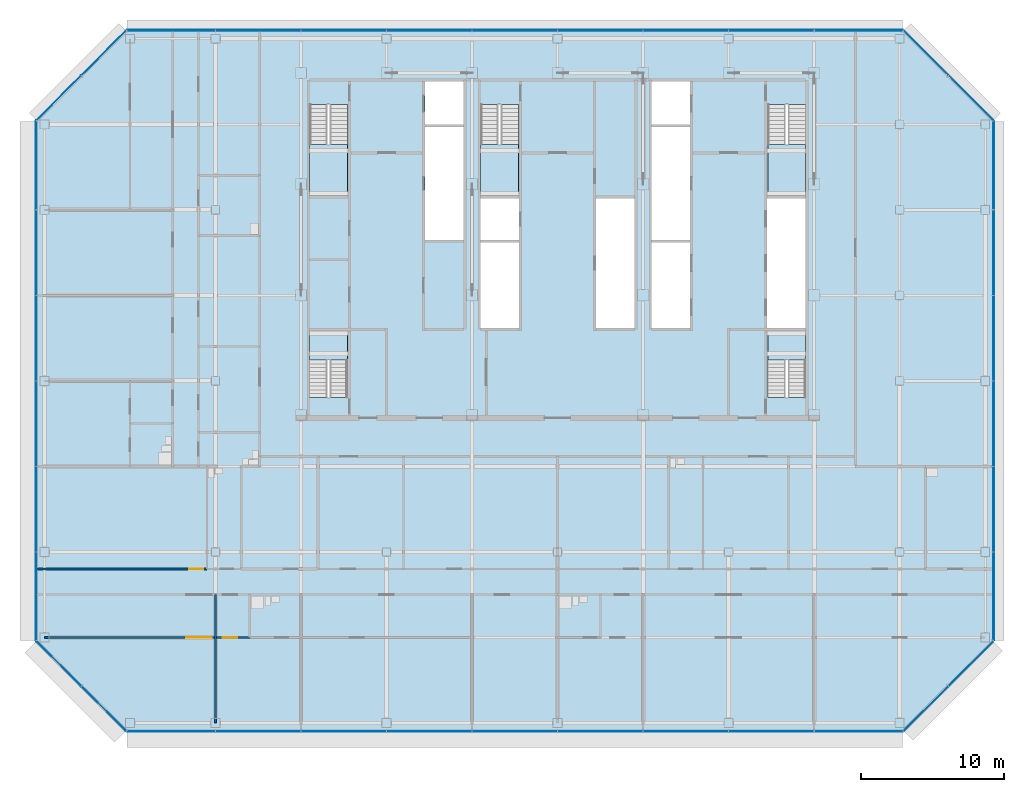
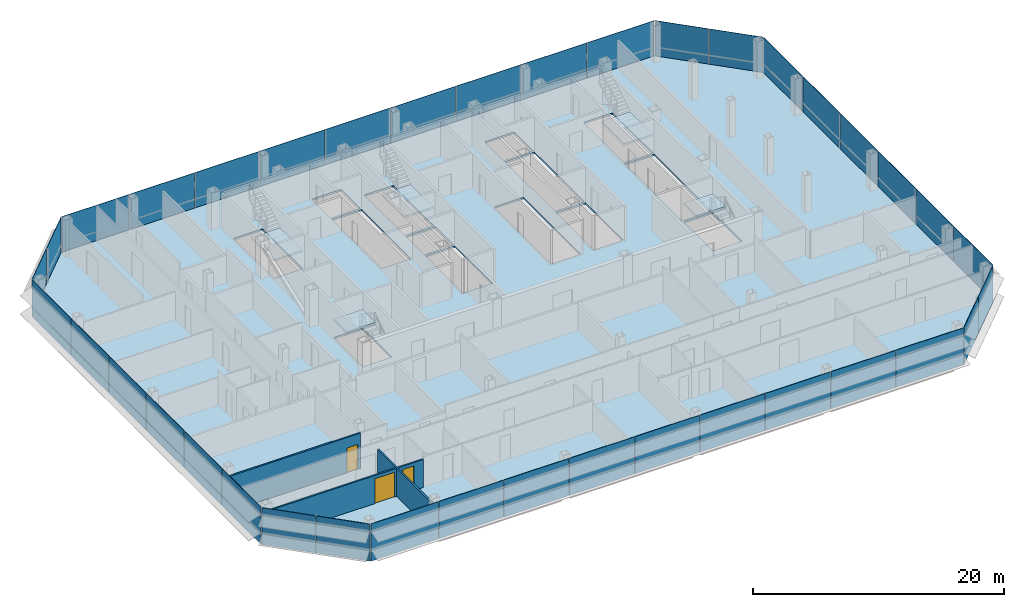
# One storey, part 19 of 26: 38 plates, 6 slabs, 3 doors, 3 walls, 3 openings, 13 elements without a shape of their own.
"""IFC4 building model written with IfcOpenShell, lengths in metres."""

from ifc_helpers import new_model, si_unit, direction, frame, frame_2d, origin, origin_2d, place, context, subcontext, project, spatial, polyline, rectangle, outline, extrude, material, layer, layer_set, type_object, element, fill, aggregate, save


model = new_model("IFC4")

# Units and contexts
model_context = context("Model", 3, precision=1e-05, world=origin(), true_north=direction((0.0, 1.0)))
body_context = subcontext(model_context, "Body", "Model", "MODEL_VIEW")
ifc_project = project(units=[si_unit("LENGTHUNIT", "METRE"), si_unit("AREAUNIT", "SQUARE_METRE"), si_unit("VOLUMEUNIT", "CUBIC_METRE"), si_unit("PLANEANGLEUNIT", "RADIAN"), si_unit("MASSUNIT", "GRAM", prefix="KILO")], contexts=[model_context])

# Site, building, storey
site_placement = place(None, origin())
site = spatial("IfcSite", under=ifc_project, at=site_placement, CompositionType="ELEMENT")
building_placement = place(site_placement, origin())
building = spatial("IfcBuilding", under=site, at=building_placement, Name="Sorahane Residences", CompositionType="ELEMENT")
storey_placement = place(building_placement, frame((0.0, 0.0, 215.39990234375)))
storey = spatial("IfcBuildingStorey", under=building, at=storey_placement, Name="L50", CompositionType="ELEMENT", Elevation=215.39990234375)

# Slab
ifc_material_1 = material(Name="Concrete C35", Category="concrete")
ifc_layer_1 = layer(ifc_material_1, 0.179931640625)
ifc_layer_set_1 = layer_set([ifc_layer_1], Name="Composite floor slab 180 mm Concrete C35")
slab_type_1 = type_object("IfcSlabType", Name="Composite floor slab 180 mm Concrete C35", PredefinedType="FLOOR", material=ifc_layer_set_1)
slab_1_placement = place(storey_placement, frame((0.0, 0.0, -0.179931640625)))
element("IfcSlab", 1, at=slab_1_placement, inside=storey, type_object=slab_type_1, Name="Slab L50", PredefinedType="FLOOR", context=body_context, shape_type="SweptSolid", body=[
    extrude(outline(polyline([(-6.24853515625, -0.60009765625), (-12.60009765625, 5.75146484375), (-12.60009765625, 42.24853515625), (-6.24853515625, 48.60009765625), (48.24853515625, 48.60009765625), (54.60009765625, 42.24853515625), (54.60009765625, 5.75146484375), (48.24853515625, -0.60009765625), (-6.24853515625, -0.60009765625)]), holes=[polyline([(18.60009765625, 27.699951171875), (21.300048828125, 27.699951171875), (21.300048828125, 33.699951171875), (18.60009765625, 33.699951171875), (18.60009765625, 27.699951171875)]), polyline([(38.699951171875, 27.699951171875), (41.39990234375, 27.699951171875), (41.39990234375, 36.800048828125), (38.699951171875, 36.800048828125), (38.699951171875, 27.699951171875)]), polyline([(30.60009765625, 27.699951171875), (33.300048828125, 27.699951171875), (33.300048828125, 33.699951171875), (30.60009765625, 33.699951171875), (30.60009765625, 27.699951171875)]), polyline([(30.60009765625, 42.0), (33.300048828125, 42.0), (33.300048828125, 45.0), (30.60009765625, 45.0), (30.60009765625, 42.0)]), polyline([(14.699951171875, 42.0), (17.39990234375, 42.0), (17.39990234375, 45.0), (14.699951171875, 45.0), (14.699951171875, 42.0)]), polyline([(6.60009765625, 43.39990234375), (6.60009765625, 37.0), (9.25, 37.0), (9.25, 43.39990234375), (6.60009765625, 43.39990234375)]), polyline([(38.75, 43.39990234375), (38.75, 37.0), (41.39990234375, 37.0), (41.39990234375, 43.39990234375), (38.75, 43.39990234375)]), polyline([(18.60009765625, 43.39990234375), (18.60009765625, 37.0), (21.25, 37.0), (21.25, 43.39990234375), (18.60009765625, 43.39990234375)]), polyline([(9.25, 22.85009765625), (9.25, 27.5), (6.60009765625, 27.5), (6.60009765625, 22.85009765625), (9.25, 22.85009765625)]), polyline([(41.39990234375, 22.85009765625), (41.39990234375, 27.5), (38.75, 27.5), (38.75, 22.85009765625), (41.39990234375, 22.85009765625)]), polyline([(14.699951171875, 33.89990234375), (17.39990234375, 33.89990234375), (17.39990234375, 41.800048828125), (14.699951171875, 41.800048828125), (14.699951171875, 33.89990234375)]), polyline([(30.60009765625, 33.89990234375), (33.300048828125, 33.89990234375), (33.300048828125, 41.800048828125), (30.60009765625, 41.800048828125), (30.60009765625, 33.89990234375)]), polyline([(18.60009765625, 33.89990234375), (21.300048828125, 33.89990234375), (21.300048828125, 36.800048828125), (18.60009765625, 36.800048828125), (18.60009765625, 33.89990234375)]), polyline([(26.699951171875, 27.699951171875), (29.39990234375, 27.699951171875), (29.39990234375, 36.800048828125), (26.699951171875, 36.800048828125), (26.699951171875, 27.699951171875)])]), origin(), (0.0, 0.0, 1.0), 0.179931640625),
])

# Curtain wall, plates
ifc_material_2 = material(Name="Dark low-e glass and black anodised aluminium", Category="aluminium")
curtain_wall_type_1 = type_object("IfcCurtainWallType", Name="Curtain wall CW-1 Typical unitised wall", PredefinedType="NOTDEFINED", material=ifc_material_2)
curtain_wall_1_placement = place(storey_placement, origin())
curtain_wall_1 = element("IfcCurtainWall", 2, at=curtain_wall_1_placement, inside=storey, type_object=curtain_wall_type_1, Name="CW-1 curtain wall L50 S1", PredefinedType="NOTDEFINED")
ifc_material_3 = material(Name="Dark low-e glass with black ceramic frit", Category="glass")
ifc_layer_2 = layer(ifc_material_3, 0.0400390625)
ifc_layer_set_2 = layer_set([ifc_layer_2], Name="Curtain wall glass panel dark low-e with black frit spandrel band")
plate_type = type_object("IfcPlateType", Name="Curtain wall glass panel dark low-e with black frit spandrel band", PredefinedType="CURTAIN_PANEL", material=ifc_layer_set_2)
plate_1_placement = place(storey_placement, frame((-3.11181640625, -0.60009765625, -0.179931640625), z_axis=(0.0, 0.0, 1.0), x_axis=(1.0, 0.0, 0.0)))
plate_1 = element("IfcPlate", 3, at=plate_1_placement, type_object=plate_type, Name="CW-1 glass panel L50 S1.1", PredefinedType="CURTAIN_PANEL", context=body_context, shape_type="SweptSolid", body=[
    extrude(rectangle(XDim=6.173583984375, YDim=0.0400390625, at=origin_2d()), origin(), (0.0, 0.0, 1.0), 3.60009765625),
])
plate_2_placement = place(storey_placement, frame((3.0, -0.60009765625, -0.179931640625), z_axis=(0.0, 0.0, 1.0), x_axis=(1.0, 0.0, 0.0)))
plate_2 = element("IfcPlate", 4, at=plate_2_placement, type_object=plate_type, Name="CW-1 glass panel L50 S1.2", PredefinedType="CURTAIN_PANEL", context=body_context, shape_type="SweptSolid", body=[
    extrude(rectangle(XDim=5.949951171875, YDim=0.0400390625, at=origin_2d()), origin(), (0.0, 0.0, 1.0), 3.60009765625),
])
plate_3_placement = place(storey_placement, frame((9.0, -0.60009765625, -0.179931640625), z_axis=(0.0, 0.0, 1.0), x_axis=(1.0, 0.0, 0.0)))
plate_3 = element("IfcPlate", 5, at=plate_3_placement, type_object=plate_type, Name="CW-1 glass panel L50 S1.3", PredefinedType="CURTAIN_PANEL", context=body_context, shape_type="SweptSolid", body=[
    extrude(rectangle(XDim=5.949951171875, YDim=0.0400390625, at=origin_2d()), origin(), (0.0, 0.0, 1.0), 3.60009765625),
])
plate_4_placement = place(storey_placement, frame((15.0, -0.60009765625, -0.179931640625), z_axis=(0.0, 0.0, 1.0), x_axis=(1.0, 0.0, 0.0)))
plate_4 = element("IfcPlate", 6, at=plate_4_placement, type_object=plate_type, Name="CW-1 glass panel L50 S1.4", PredefinedType="CURTAIN_PANEL", context=body_context, shape_type="SweptSolid", body=[
    extrude(rectangle(XDim=5.949951171875, YDim=0.0400390625, at=origin_2d()), origin(), (0.0, 0.0, 1.0), 3.60009765625),
])
plate_5_placement = place(storey_placement, frame((21.0, -0.60009765625, -0.179931640625), z_axis=(0.0, 0.0, 1.0), x_axis=(1.0, 0.0, 0.0)))
plate_5 = element("IfcPlate", 7, at=plate_5_placement, type_object=plate_type, Name="CW-1 glass panel L50 S1.5", PredefinedType="CURTAIN_PANEL", context=body_context, shape_type="SweptSolid", body=[
    extrude(rectangle(XDim=5.949951171875, YDim=0.0400390625, at=origin_2d()), origin(), (0.0, 0.0, 1.0), 3.60009765625),
])
plate_6_placement = place(storey_placement, frame((27.0, -0.60009765625, -0.179931640625), z_axis=(0.0, 0.0, 1.0), x_axis=(1.0, 0.0, 0.0)))
plate_6 = element("IfcPlate", 8, at=plate_6_placement, type_object=plate_type, Name="CW-1 glass panel L50 S1.6", PredefinedType="CURTAIN_PANEL", context=body_context, shape_type="SweptSolid", body=[
    extrude(rectangle(XDim=5.949951171875, YDim=0.0400390625, at=origin_2d()), origin(), (0.0, 0.0, 1.0), 3.60009765625),
])
plate_7_placement = place(storey_placement, frame((33.0, -0.60009765625, -0.179931640625), z_axis=(0.0, 0.0, 1.0), x_axis=(1.0, 0.0, 0.0)))
plate_7 = element("IfcPlate", 9, at=plate_7_placement, type_object=plate_type, Name="CW-1 glass panel L50 S1.7", PredefinedType="CURTAIN_PANEL", context=body_context, shape_type="SweptSolid", body=[
    extrude(rectangle(XDim=5.949951171875, YDim=0.0400390625, at=origin_2d()), origin(), (0.0, 0.0, 1.0), 3.60009765625),
])
plate_8_placement = place(storey_placement, frame((39.0, -0.60009765625, -0.179931640625), z_axis=(0.0, 0.0, 1.0), x_axis=(1.0, 0.0, 0.0)))
plate_8 = element("IfcPlate", 10, at=plate_8_placement, type_object=plate_type, Name="CW-1 glass panel L50 S1.8", PredefinedType="CURTAIN_PANEL", context=body_context, shape_type="SweptSolid", body=[
    extrude(rectangle(XDim=5.949951171875, YDim=0.0400390625, at=origin_2d()), origin(), (0.0, 0.0, 1.0), 3.60009765625),
])
plate_9_placement = place(storey_placement, frame((45.11181640625, -0.60009765625, -0.179931640625), z_axis=(0.0, 0.0, 1.0), x_axis=(1.0, 0.0, 0.0)))
plate_9 = element("IfcPlate", 11, at=plate_9_placement, type_object=plate_type, Name="CW-1 glass panel L50 S1.9", PredefinedType="CURTAIN_PANEL", context=body_context, shape_type="SweptSolid", body=[
    extrude(rectangle(XDim=6.173583984375, YDim=0.0400390625, at=origin_2d()), origin(), (0.0, 0.0, 1.0), 3.60009765625),
])
aggregate(curtain_wall_1, [plate_1, plate_2, plate_3, plate_4, plate_5, plate_6, plate_7, plate_8, plate_9])

ifc_material_4 = material(Name="Dark low-e glass and black anodised aluminium", Category="aluminium")
curtain_wall_type_2 = type_object("IfcCurtainWallType", Name="Curtain wall CW-2 Chamfer unitised wall", PredefinedType="NOTDEFINED", material=ifc_material_4)
curtain_wall_2_placement = place(storey_placement, origin())
curtain_wall_2 = element("IfcCurtainWall", 12, at=curtain_wall_2_placement, inside=storey, type_object=curtain_wall_type_2, Name="CW-2 curtain wall L50 SE1", PredefinedType="NOTDEFINED")
plate_10_placement = place(storey_placement, frame((49.84521484375, 0.996826171875, -0.179931640625), z_axis=(0.0, 0.0, 1.0), x_axis=(0.707106781187, 0.707106781187, 0.0)))
plate_10 = element("IfcPlate", 13, at=plate_10_placement, type_object=plate_type, Name="CW-2 glass panel L50 SE1.1", PredefinedType="CURTAIN_PANEL", context=body_context, shape_type="SweptSolid", body=[
    extrude(rectangle(XDim=4.416259765625, YDim=0.0400390625, at=origin_2d()), origin(), (0.0, 0.0, 1.0), 3.60009765625),
])
plate_11_placement = place(storey_placement, frame((53.003173828125, 4.15478515625, -0.179931640625), z_axis=(0.0, 0.0, 1.0), x_axis=(0.707106781187, 0.707106781187, 0.0)))
plate_11 = element("IfcPlate", 14, at=plate_11_placement, type_object=plate_type, Name="CW-2 glass panel L50 SE1.2", PredefinedType="CURTAIN_PANEL", context=body_context, shape_type="SweptSolid", body=[
    extrude(rectangle(XDim=4.416259765625, YDim=0.0400390625, at=origin_2d()), origin(), (0.0, 0.0, 1.0), 3.60009765625),
])
aggregate(curtain_wall_2, [plate_10, plate_11])

curtain_wall_3_placement = place(storey_placement, origin())
curtain_wall_3 = element("IfcCurtainWall", 15, at=curtain_wall_3_placement, inside=storey, type_object=curtain_wall_type_1, Name="CW-1 curtain wall L50 E1", PredefinedType="NOTDEFINED")
plate_12_placement = place(storey_placement, frame((54.60009765625, 8.88818359375, -0.179931640625), z_axis=(0.0, 0.0, 1.0), x_axis=(0.0, 1.0, 0.0)))
plate_12 = element("IfcPlate", 16, at=plate_12_placement, type_object=plate_type, Name="CW-1 glass panel L50 E1.1", PredefinedType="CURTAIN_PANEL", context=body_context, shape_type="SweptSolid", body=[
    extrude(rectangle(XDim=6.173583984375, YDim=0.0400390625, at=origin_2d()), origin(), (0.0, 0.0, 1.0), 3.60009765625),
])
plate_13_placement = place(storey_placement, frame((54.60009765625, 15.0, -0.179931640625), z_axis=(0.0, 0.0, 1.0), x_axis=(0.0, 1.0, 0.0)))
plate_13 = element("IfcPlate", 17, at=plate_13_placement, type_object=plate_type, Name="CW-1 glass panel L50 E1.2", PredefinedType="CURTAIN_PANEL", context=body_context, shape_type="SweptSolid", body=[
    extrude(rectangle(XDim=5.949951171875, YDim=0.0400390625, at=origin_2d()), origin(), (0.0, 0.0, 1.0), 3.60009765625),
])
plate_14_placement = place(storey_placement, frame((54.60009765625, 21.0, -0.179931640625), z_axis=(0.0, 0.0, 1.0), x_axis=(0.0, 1.0, 0.0)))
plate_14 = element("IfcPlate", 18, at=plate_14_placement, type_object=plate_type, Name="CW-1 glass panel L50 E1.3", PredefinedType="CURTAIN_PANEL", context=body_context, shape_type="SweptSolid", body=[
    extrude(rectangle(XDim=5.949951171875, YDim=0.0400390625, at=origin_2d()), origin(), (0.0, 0.0, 1.0), 3.60009765625),
])
plate_15_placement = place(storey_placement, frame((54.60009765625, 27.0, -0.179931640625), z_axis=(0.0, 0.0, 1.0), x_axis=(0.0, 1.0, 0.0)))
plate_15 = element("IfcPlate", 19, at=plate_15_placement, type_object=plate_type, Name="CW-1 glass panel L50 E1.4", PredefinedType="CURTAIN_PANEL", context=body_context, shape_type="SweptSolid", body=[
    extrude(rectangle(XDim=5.949951171875, YDim=0.0400390625, at=origin_2d()), origin(), (0.0, 0.0, 1.0), 3.60009765625),
])
plate_16_placement = place(storey_placement, frame((54.60009765625, 33.0, -0.179931640625), z_axis=(0.0, 0.0, 1.0), x_axis=(0.0, 1.0, 0.0)))
plate_16 = element("IfcPlate", 20, at=plate_16_placement, type_object=plate_type, Name="CW-1 glass panel L50 E1.5", PredefinedType="CURTAIN_PANEL", context=body_context, shape_type="SweptSolid", body=[
    extrude(rectangle(XDim=5.949951171875, YDim=0.0400390625, at=origin_2d()), origin(), (0.0, 0.0, 1.0), 3.60009765625),
])
plate_17_placement = place(storey_placement, frame((54.60009765625, 39.11181640625, -0.179931640625), z_axis=(0.0, 0.0, 1.0), x_axis=(0.0, 1.0, 0.0)))
plate_17 = element("IfcPlate", 21, at=plate_17_placement, type_object=plate_type, Name="CW-1 glass panel L50 E1.6", PredefinedType="CURTAIN_PANEL", context=body_context, shape_type="SweptSolid", body=[
    extrude(rectangle(XDim=6.173583984375, YDim=0.0400390625, at=origin_2d()), origin(), (0.0, 0.0, 1.0), 3.60009765625),
])
aggregate(curtain_wall_3, [plate_12, plate_13, plate_14, plate_15, plate_16, plate_17])

curtain_wall_4_placement = place(storey_placement, origin())
curtain_wall_4 = element("IfcCurtainWall", 22, at=curtain_wall_4_placement, inside=storey, type_object=curtain_wall_type_2, Name="CW-2 curtain wall L50 NE1", PredefinedType="NOTDEFINED")
plate_18_placement = place(storey_placement, frame((53.003173828125, 43.84521484375, -0.179931640625), z_axis=(0.0, 0.0, 1.0), x_axis=(-0.707106781187, 0.707106781187, 0.0)))
plate_18 = element("IfcPlate", 23, at=plate_18_placement, type_object=plate_type, Name="CW-2 glass panel L50 NE1.1", PredefinedType="CURTAIN_PANEL", context=body_context, shape_type="SweptSolid", body=[
    extrude(rectangle(XDim=4.416259765625, YDim=0.0400390625, at=origin_2d()), origin(), (0.0, 0.0, 1.0), 3.60009765625),
])
plate_19_placement = place(storey_placement, frame((49.84521484375, 47.003173828125, -0.179931640625), z_axis=(0.0, 0.0, 1.0), x_axis=(-0.707106781187, 0.707106781187, 0.0)))
plate_19 = element("IfcPlate", 24, at=plate_19_placement, type_object=plate_type, Name="CW-2 glass panel L50 NE1.2", PredefinedType="CURTAIN_PANEL", context=body_context, shape_type="SweptSolid", body=[
    extrude(rectangle(XDim=4.416259765625, YDim=0.0400390625, at=origin_2d()), origin(), (0.0, 0.0, 1.0), 3.60009765625),
])
aggregate(curtain_wall_4, [plate_18, plate_19])

curtain_wall_5_placement = place(storey_placement, origin())
curtain_wall_5 = element("IfcCurtainWall", 25, at=curtain_wall_5_placement, inside=storey, type_object=curtain_wall_type_1, Name="CW-1 curtain wall L50 N1", PredefinedType="NOTDEFINED")
plate_20_placement = place(storey_placement, frame((45.11181640625, 48.60009765625, -0.179931640625), z_axis=(0.0, 0.0, 1.0), x_axis=(-1.0, 0.0, 0.0)))
plate_20 = element("IfcPlate", 26, at=plate_20_placement, type_object=plate_type, Name="CW-1 glass panel L50 N1.1", PredefinedType="CURTAIN_PANEL", context=body_context, shape_type="SweptSolid", body=[
    extrude(rectangle(XDim=6.173583984375, YDim=0.0400390625, at=origin_2d()), origin(), (0.0, 0.0, 1.0), 3.60009765625),
])
plate_21_placement = place(storey_placement, frame((39.0, 48.60009765625, -0.179931640625), z_axis=(0.0, 0.0, 1.0), x_axis=(-1.0, 0.0, 0.0)))
plate_21 = element("IfcPlate", 27, at=plate_21_placement, type_object=plate_type, Name="CW-1 glass panel L50 N1.2", PredefinedType="CURTAIN_PANEL", context=body_context, shape_type="SweptSolid", body=[
    extrude(rectangle(XDim=5.949951171875, YDim=0.0400390625, at=origin_2d()), origin(), (0.0, 0.0, 1.0), 3.60009765625),
])
plate_22_placement = place(storey_placement, frame((33.0, 48.60009765625, -0.179931640625), z_axis=(0.0, 0.0, 1.0), x_axis=(-1.0, 0.0, 0.0)))
plate_22 = element("IfcPlate", 28, at=plate_22_placement, type_object=plate_type, Name="CW-1 glass panel L50 N1.3", PredefinedType="CURTAIN_PANEL", context=body_context, shape_type="SweptSolid", body=[
    extrude(rectangle(XDim=5.949951171875, YDim=0.0400390625, at=origin_2d()), origin(), (0.0, 0.0, 1.0), 3.60009765625),
])
plate_23_placement = place(storey_placement, frame((27.0, 48.60009765625, -0.179931640625), z_axis=(0.0, 0.0, 1.0), x_axis=(-1.0, 0.0, 0.0)))
plate_23 = element("IfcPlate", 29, at=plate_23_placement, type_object=plate_type, Name="CW-1 glass panel L50 N1.4", PredefinedType="CURTAIN_PANEL", context=body_context, shape_type="SweptSolid", body=[
    extrude(rectangle(XDim=5.949951171875, YDim=0.0400390625, at=origin_2d()), origin(), (0.0, 0.0, 1.0), 3.60009765625),
])
plate_24_placement = place(storey_placement, frame((21.0, 48.60009765625, -0.179931640625), z_axis=(0.0, 0.0, 1.0), x_axis=(-1.0, 0.0, 0.0)))
plate_24 = element("IfcPlate", 30, at=plate_24_placement, type_object=plate_type, Name="CW-1 glass panel L50 N1.5", PredefinedType="CURTAIN_PANEL", context=body_context, shape_type="SweptSolid", body=[
    extrude(rectangle(XDim=5.949951171875, YDim=0.0400390625, at=origin_2d()), origin(), (0.0, 0.0, 1.0), 3.60009765625),
])
plate_25_placement = place(storey_placement, frame((15.0, 48.60009765625, -0.179931640625), z_axis=(0.0, 0.0, 1.0), x_axis=(-1.0, 0.0, 0.0)))
plate_25 = element("IfcPlate", 31, at=plate_25_placement, type_object=plate_type, Name="CW-1 glass panel L50 N1.6", PredefinedType="CURTAIN_PANEL", context=body_context, shape_type="SweptSolid", body=[
    extrude(rectangle(XDim=5.949951171875, YDim=0.0400390625, at=origin_2d()), origin(), (0.0, 0.0, 1.0), 3.60009765625),
])
plate_26_placement = place(storey_placement, frame((9.0, 48.60009765625, -0.179931640625), z_axis=(0.0, 0.0, 1.0), x_axis=(-1.0, 0.0, 0.0)))
plate_26 = element("IfcPlate", 32, at=plate_26_placement, type_object=plate_type, Name="CW-1 glass panel L50 N1.7", PredefinedType="CURTAIN_PANEL", context=body_context, shape_type="SweptSolid", body=[
    extrude(rectangle(XDim=5.949951171875, YDim=0.0400390625, at=origin_2d()), origin(), (0.0, 0.0, 1.0), 3.60009765625),
])
plate_27_placement = place(storey_placement, frame((3.0, 48.60009765625, -0.179931640625), z_axis=(0.0, 0.0, 1.0), x_axis=(-1.0, 0.0, 0.0)))
plate_27 = element("IfcPlate", 33, at=plate_27_placement, type_object=plate_type, Name="CW-1 glass panel L50 N1.8", PredefinedType="CURTAIN_PANEL", context=body_context, shape_type="SweptSolid", body=[
    extrude(rectangle(XDim=5.949951171875, YDim=0.0400390625, at=origin_2d()), origin(), (0.0, 0.0, 1.0), 3.60009765625),
])
plate_28_placement = place(storey_placement, frame((-3.11181640625, 48.60009765625, -0.179931640625), z_axis=(0.0, 0.0, 1.0), x_axis=(-1.0, 0.0, 0.0)))
plate_28 = element("IfcPlate", 34, at=plate_28_placement, type_object=plate_type, Name="CW-1 glass panel L50 N1.9", PredefinedType="CURTAIN_PANEL", context=body_context, shape_type="SweptSolid", body=[
    extrude(rectangle(XDim=6.173583984375, YDim=0.0400390625, at=origin_2d()), origin(), (0.0, 0.0, 1.0), 3.60009765625),
])
aggregate(curtain_wall_5, [plate_20, plate_21, plate_22, plate_23, plate_24, plate_25, plate_26, plate_27, plate_28])

curtain_wall_6_placement = place(storey_placement, origin())
curtain_wall_6 = element("IfcCurtainWall", 35, at=curtain_wall_6_placement, inside=storey, type_object=curtain_wall_type_2, Name="CW-2 curtain wall L50 NW1", PredefinedType="NOTDEFINED")
plate_29_placement = place(storey_placement, frame((-7.84521484375, 47.003173828125, -0.179931640625), z_axis=(0.0, 0.0, 1.0), x_axis=(-0.707106781187, -0.707106781187, 0.0)))
plate_29 = element("IfcPlate", 36, at=plate_29_placement, type_object=plate_type, Name="CW-2 glass panel L50 NW1.1", PredefinedType="CURTAIN_PANEL", context=body_context, shape_type="SweptSolid", body=[
    extrude(rectangle(XDim=4.416259765625, YDim=0.0400390625, at=origin_2d()), origin(), (0.0, 0.0, 1.0), 3.60009765625),
])
plate_30_placement = place(storey_placement, frame((-11.003173828125, 43.84521484375, -0.179931640625), z_axis=(0.0, 0.0, 1.0), x_axis=(-0.707106781187, -0.707106781187, 0.0)))
plate_30 = element("IfcPlate", 37, at=plate_30_placement, type_object=plate_type, Name="CW-2 glass panel L50 NW1.2", PredefinedType="CURTAIN_PANEL", context=body_context, shape_type="SweptSolid", body=[
    extrude(rectangle(XDim=4.416259765625, YDim=0.0400390625, at=origin_2d()), origin(), (0.0, 0.0, 1.0), 3.60009765625),
])
aggregate(curtain_wall_6, [plate_29, plate_30])

curtain_wall_7_placement = place(storey_placement, origin())
curtain_wall_7 = element("IfcCurtainWall", 38, at=curtain_wall_7_placement, inside=storey, type_object=curtain_wall_type_1, Name="CW-1 curtain wall L50 W1", PredefinedType="NOTDEFINED")
plate_31_placement = place(storey_placement, frame((-12.60009765625, 39.11181640625, -0.179931640625), z_axis=(0.0, 0.0, 1.0), x_axis=(0.0, -1.0, 0.0)))
plate_31 = element("IfcPlate", 39, at=plate_31_placement, type_object=plate_type, Name="CW-1 glass panel L50 W1.1", PredefinedType="CURTAIN_PANEL", context=body_context, shape_type="SweptSolid", body=[
    extrude(rectangle(XDim=6.173583984375, YDim=0.0400390625, at=origin_2d()), origin(), (0.0, 0.0, 1.0), 3.60009765625),
])
plate_32_placement = place(storey_placement, frame((-12.60009765625, 33.0, -0.179931640625), z_axis=(0.0, 0.0, 1.0), x_axis=(0.0, -1.0, 0.0)))
plate_32 = element("IfcPlate", 40, at=plate_32_placement, type_object=plate_type, Name="CW-1 glass panel L50 W1.2", PredefinedType="CURTAIN_PANEL", context=body_context, shape_type="SweptSolid", body=[
    extrude(rectangle(XDim=5.949951171875, YDim=0.0400390625, at=origin_2d()), origin(), (0.0, 0.0, 1.0), 3.60009765625),
])
plate_33_placement = place(storey_placement, frame((-12.60009765625, 27.0, -0.179931640625), z_axis=(0.0, 0.0, 1.0), x_axis=(0.0, -1.0, 0.0)))
plate_33 = element("IfcPlate", 41, at=plate_33_placement, type_object=plate_type, Name="CW-1 glass panel L50 W1.3", PredefinedType="CURTAIN_PANEL", context=body_context, shape_type="SweptSolid", body=[
    extrude(rectangle(XDim=5.949951171875, YDim=0.0400390625, at=origin_2d()), origin(), (0.0, 0.0, 1.0), 3.60009765625),
])
plate_34_placement = place(storey_placement, frame((-12.60009765625, 21.0, -0.179931640625), z_axis=(0.0, 0.0, 1.0), x_axis=(0.0, -1.0, 0.0)))
plate_34 = element("IfcPlate", 42, at=plate_34_placement, type_object=plate_type, Name="CW-1 glass panel L50 W1.4", PredefinedType="CURTAIN_PANEL", context=body_context, shape_type="SweptSolid", body=[
    extrude(rectangle(XDim=5.949951171875, YDim=0.0400390625, at=origin_2d()), origin(), (0.0, 0.0, 1.0), 3.60009765625),
])
plate_35_placement = place(storey_placement, frame((-12.60009765625, 15.0, -0.179931640625), z_axis=(0.0, 0.0, 1.0), x_axis=(0.0, -1.0, 0.0)))
plate_35 = element("IfcPlate", 43, at=plate_35_placement, type_object=plate_type, Name="CW-1 glass panel L50 W1.5", PredefinedType="CURTAIN_PANEL", context=body_context, shape_type="SweptSolid", body=[
    extrude(rectangle(XDim=5.949951171875, YDim=0.0400390625, at=origin_2d()), origin(), (0.0, 0.0, 1.0), 3.60009765625),
])
plate_36_placement = place(storey_placement, frame((-12.60009765625, 8.88818359375, -0.179931640625), z_axis=(0.0, 0.0, 1.0), x_axis=(0.0, -1.0, 0.0)))
plate_36 = element("IfcPlate", 44, at=plate_36_placement, type_object=plate_type, Name="CW-1 glass panel L50 W1.6", PredefinedType="CURTAIN_PANEL", context=body_context, shape_type="SweptSolid", body=[
    extrude(rectangle(XDim=6.173583984375, YDim=0.0400390625, at=origin_2d()), origin(), (0.0, 0.0, 1.0), 3.60009765625),
])
aggregate(curtain_wall_7, [plate_31, plate_32, plate_33, plate_34, plate_35, plate_36])

curtain_wall_8_placement = place(storey_placement, origin())
curtain_wall_8 = element("IfcCurtainWall", 45, at=curtain_wall_8_placement, inside=storey, type_object=curtain_wall_type_2, Name="CW-2 curtain wall L50 SW1", PredefinedType="NOTDEFINED")
plate_37_placement = place(storey_placement, frame((-11.003173828125, 4.15478515625, -0.179931640625), z_axis=(0.0, 0.0, 1.0), x_axis=(0.707106781187, -0.707106781187, 0.0)))
plate_37 = element("IfcPlate", 46, at=plate_37_placement, type_object=plate_type, Name="CW-2 glass panel L50 SW1.1", PredefinedType="CURTAIN_PANEL", context=body_context, shape_type="SweptSolid", body=[
    extrude(rectangle(XDim=4.416259765625, YDim=0.0400390625, at=origin_2d()), origin(), (0.0, 0.0, 1.0), 3.60009765625),
])
plate_38_placement = place(storey_placement, frame((-7.84521484375, 0.996826171875, -0.179931640625), z_axis=(0.0, 0.0, 1.0), x_axis=(0.707106781187, -0.707106781187, 0.0)))
plate_38 = element("IfcPlate", 47, at=plate_38_placement, type_object=plate_type, Name="CW-2 glass panel L50 SW1.2", PredefinedType="CURTAIN_PANEL", context=body_context, shape_type="SweptSolid", body=[
    extrude(rectangle(XDim=4.416259765625, YDim=0.0400390625, at=origin_2d()), origin(), (0.0, 0.0, 1.0), 3.60009765625),
])
aggregate(curtain_wall_8, [plate_37, plate_38])

# Stair, slab
ifc_material_5 = material(Name="Concrete C40", Category="concrete")
stair_type = type_object("IfcStairType", Name="Dog-leg stair 1250 Concrete C40", PredefinedType="HALF_TURN_STAIR", material=ifc_material_5)
stair_1_placement = place(storey_placement, origin())
stair_1 = element("IfcStair", 48, at=stair_1_placement, inside=storey, type_object=stair_type, Name="L50 Stair S1", PredefinedType="HALF_TURN_STAIR")
ifc_material_6 = material(Name="Concrete C40", Category="concrete")
ifc_layer_3 = layer(ifc_material_6, 0.199951171875)
ifc_layer_set_3 = layer_set([ifc_layer_3], Name="Stair landing 200 Concrete C40")
slab_type_2 = type_object("IfcSlabType", Name="Stair landing 200 Concrete C40", PredefinedType="LANDING", material=ifc_layer_set_3)
slab_2_placement = place(storey_placement, frame((0.0, 0.0, 1.60009765625)))
slab_2 = element("IfcSlab", 49, at=slab_2_placement, type_object=slab_type_2, Name="S1 landing 1", PredefinedType="LANDING", context=body_context, shape_type="SweptSolid", body=[
    extrude(outline(polyline([(6.60009765625, 40.60009765625), (6.60009765625, 37.0), (9.25, 37.0), (9.25, 40.60009765625), (6.60009765625, 40.60009765625)])), origin(), (0.0, 0.0, 1.0), 0.199951171875),
])
aggregate(stair_1, [slab_2])

stair_2_placement = place(storey_placement, origin())
stair_2 = element("IfcStair", 50, at=stair_2_placement, inside=storey, type_object=stair_type, Name="L50 Stair S2", PredefinedType="HALF_TURN_STAIR")
slab_3_placement = place(storey_placement, frame((0.0, 0.0, 1.60009765625)))
slab_3 = element("IfcSlab", 51, at=slab_3_placement, type_object=slab_type_2, Name="S2 landing 1", PredefinedType="LANDING", context=body_context, shape_type="SweptSolid", body=[
    extrude(outline(polyline([(38.75, 40.60009765625), (38.75, 37.0), (41.39990234375, 37.0), (41.39990234375, 40.60009765625), (38.75, 40.60009765625)])), origin(), (0.0, 0.0, 1.0), 0.199951171875),
])
aggregate(stair_2, [slab_3])

stair_3_placement = place(storey_placement, origin())
stair_3 = element("IfcStair", 52, at=stair_3_placement, inside=storey, type_object=stair_type, Name="L50 Stair S3", PredefinedType="HALF_TURN_STAIR")
slab_4_placement = place(storey_placement, frame((0.0, 0.0, 1.60009765625)))
slab_4 = element("IfcSlab", 53, at=slab_4_placement, type_object=slab_type_2, Name="S3 landing 1", PredefinedType="LANDING", context=body_context, shape_type="SweptSolid", body=[
    extrude(outline(polyline([(18.60009765625, 40.60009765625), (18.60009765625, 37.0), (21.25, 37.0), (21.25, 40.60009765625), (18.60009765625, 40.60009765625)])), origin(), (0.0, 0.0, 1.0), 0.199951171875),
])
aggregate(stair_3, [slab_4])

stair_4_placement = place(storey_placement, origin())
stair_4 = element("IfcStair", 54, at=stair_4_placement, inside=storey, type_object=stair_type, Name="L50 Stair S4", PredefinedType="HALF_TURN_STAIR")
slab_5_placement = place(storey_placement, frame((0.0, 0.0, 1.60009765625)))
slab_5 = element("IfcSlab", 55, at=slab_5_placement, type_object=slab_type_2, Name="S4 landing 1", PredefinedType="LANDING", context=body_context, shape_type="SweptSolid", body=[
    extrude(outline(polyline([(9.25, 25.449951171875), (9.25, 27.5), (6.60009765625, 27.5), (6.60009765625, 25.449951171875), (9.25, 25.449951171875)])), origin(), (0.0, 0.0, 1.0), 0.199951171875),
])
aggregate(stair_4, [slab_5])

stair_5_placement = place(storey_placement, origin())
stair_5 = element("IfcStair", 56, at=stair_5_placement, inside=storey, type_object=stair_type, Name="L50 Stair S5", PredefinedType="HALF_TURN_STAIR")
slab_6_placement = place(storey_placement, frame((0.0, 0.0, 1.60009765625)))
slab_6 = element("IfcSlab", 57, at=slab_6_placement, type_object=slab_type_2, Name="S5 landing 1", PredefinedType="LANDING", context=body_context, shape_type="SweptSolid", body=[
    extrude(outline(polyline([(41.39990234375, 25.449951171875), (41.39990234375, 27.5), (38.75, 27.5), (38.75, 25.449951171875), (41.39990234375, 25.449951171875)])), origin(), (0.0, 0.0, 1.0), 0.199951171875),
])
aggregate(stair_5, [slab_6])

# Wall
ifc_material_7 = material(Name="Gypsum board partition on steel studs", Category="steel")
ifc_layer_4 = layer(ifc_material_7, 0.14990234375)
ifc_layer_set_4 = layer_set([ifc_layer_4], Name="Partition 150 EI 90")
wall_type = type_object("IfcWallType", Name="Partition 150 EI 90", PredefinedType="PARTITIONING", material=ifc_layer_set_4)
wall_1_placement = place(storey_placement, frame((0.0, 0.0, 0.0), z_axis=(0.0, 0.0, 1.0), x_axis=(0.0, 1.0, 0.0)))
element("IfcWall", 58, at=wall_1_placement, inside=storey, type_object=wall_type, Name="L50 partition", PredefinedType="PARTITIONING", context=body_context, shape_type="SweptSolid", body=[
    extrude(rectangle(XDim=9.0, YDim=0.14990234375, at=frame_2d((4.5, 0.0))), origin(), (0.0, 0.0, 1.0), 2.72021484375),
])

# Wall, opening, door
wall_2_placement = place(storey_placement, frame((-12.60009765625, 10.800048828125, 0.0), z_axis=(0.0, 0.0, 1.0), x_axis=(1.0, 0.0, 0.0)))
wall_2 = element("IfcWall", 59, at=wall_2_placement, inside=storey, type_object=wall_type, Name="L50 partition", PredefinedType="PARTITIONING", context=body_context, shape_type="SweptSolid", body=[
    extrude(rectangle(XDim=12.0, YDim=0.14990234375, at=frame_2d((6.0, 0.0))), origin(), (0.0, 0.0, 1.0), 3.420166015625),
])
opening_1_placement = place(wall_2_placement, frame((10.75, 0.0, 0.0)))
opening_1 = element("IfcOpeningElement", 60, at=opening_1_placement, cuts=wall_2, Name="Opening L50-02", PredefinedType="OPENING", context=body_context, shape_type="SweptSolid", body=[
    extrude(rectangle(XDim=1.0, YDim=2.39990234375, at=frame_2d((0.5, 1.199951171875))), frame((0.0, 0.0849609375, 0.0), z_axis=(0.0, -1.0, 0.0), x_axis=(1.0, 0.0, 0.0)), (0.0, 0.0, 1.0), 0.169921875),
])
ifc_material_8 = material(Name="Timber veneered fire door", Category="wood")
door_type_1 = type_object("IfcDoorType", Name="Room door 1000x2400 FD30", OperationType="NOTDEFINED", PredefinedType="DOOR", material=ifc_material_8)
door_1_placement = place(opening_1_placement, origin())
door_1 = element("IfcDoor", 61, at=door_1_placement, inside=storey, type_object=door_type_1, Name="Room door L50-02", OperationType="SINGLE_SWING_LEFT", OverallHeight=2.39990234375, OverallWidth=1.0, PredefinedType="DOOR", context=body_context, shape_type="SweptSolid", body=[
    extrude(rectangle(XDim=1.0, YDim=2.39990234375, at=frame_2d((0.5, 1.199951171875))), frame((0.0, 0.02490234375, 0.0), z_axis=(0.0, -1.0, 0.0), x_axis=(1.0, 0.0, 0.0)), (0.0, 0.0, 1.0), 0.050048828125),
])
fill(opening_1, door_1)

# Wall, openings, doors
wall_3_placement = place(storey_placement, frame((-12.0, 6.0, 0.0), z_axis=(0.0, 0.0, 1.0), x_axis=(1.0, 0.0, 0.0)))
wall_3 = element("IfcWall", 62, at=wall_3_placement, inside=storey, type_object=wall_type, Name="L50 partition", PredefinedType="PARTITIONING", context=body_context, shape_type="SweptSolid", body=[
    extrude(rectangle(XDim=14.39990234375, YDim=0.14990234375, at=frame_2d((7.199951171875, 0.0))), origin(), (0.0, 0.0, 1.0), 2.72021484375),
])
opening_2_placement = place(wall_3_placement, frame((9.949951171875, 0.0, 0.0)))
opening_2 = element("IfcOpeningElement", 63, at=opening_2_placement, cuts=wall_3, Name="Opening L50-10", PredefinedType="OPENING", context=body_context, shape_type="SweptSolid", body=[
    extrude(rectangle(XDim=1.800048828125, YDim=2.39990234375, at=frame_2d((0.89990234375, 1.199951171875))), frame((0.0, 0.0849609375, 0.0), z_axis=(0.0, -1.0, 0.0), x_axis=(1.0, 0.0, 0.0)), (0.0, 0.0, 1.0), 0.169921875),
])
opening_3_placement = place(wall_3_placement, frame((12.52001953125, 0.0, 0.0)))
opening_3 = element("IfcOpeningElement", 64, at=opening_3_placement, cuts=wall_3, Name="Opening L50-11", PredefinedType="OPENING", context=body_context, shape_type="SweptSolid", body=[
    extrude(rectangle(XDim=1.0, YDim=2.39990234375, at=frame_2d((0.5, 1.199951171875))), frame((0.0, 0.0849609375, 0.0), z_axis=(0.0, -1.0, 0.0), x_axis=(1.0, 0.0, 0.0)), (0.0, 0.0, 1.0), 0.169921875),
])
ifc_material_9 = material(Name="Timber veneered fire door", Category="wood")
door_type_2 = type_object("IfcDoorType", Name="Double door 1800x2400 FD30", OperationType="NOTDEFINED", PredefinedType="DOOR", material=ifc_material_9)
door_2_placement = place(opening_2_placement, frame((1.800048828125, 0.0, 0.0), z_axis=(0.0, 0.0, 1.0), x_axis=(-1.0, 0.0, 0.0)))
door_2 = element("IfcDoor", 65, at=door_2_placement, inside=storey, type_object=door_type_2, Name="Double door L50-10", OperationType="SINGLE_SWING_RIGHT", OverallHeight=2.39990234375, OverallWidth=1.800048828125, PredefinedType="DOOR", context=body_context, shape_type="SweptSolid", body=[
    extrude(rectangle(XDim=1.800048828125, YDim=2.39990234375, at=frame_2d((0.89990234375, 1.199951171875))), frame((0.0, 0.02490234375, 0.0), z_axis=(0.0, -1.0, 0.0), x_axis=(1.0, 0.0, 0.0)), (0.0, 0.0, 1.0), 0.050048828125),
])
fill(opening_2, door_2)
door_3_placement = place(opening_3_placement, frame((1.0, 0.0, 0.0), z_axis=(0.0, 0.0, 1.0), x_axis=(-1.0, 0.0, 0.0)))
door_3 = element("IfcDoor", 66, at=door_3_placement, inside=storey, type_object=door_type_1, Name="Room door L50-11", OperationType="SINGLE_SWING_LEFT", OverallHeight=2.39990234375, OverallWidth=1.0, PredefinedType="DOOR", context=body_context, shape_type="SweptSolid", body=[
    extrude(rectangle(XDim=1.0, YDim=2.39990234375, at=frame_2d((0.5, 1.199951171875))), frame((0.0, 0.02490234375, 0.0), z_axis=(0.0, -1.0, 0.0), x_axis=(1.0, 0.0, 0.0)), (0.0, 0.0, 1.0), 0.050048828125),
])
fill(opening_3, door_3)

save(model, "model.ifc")
